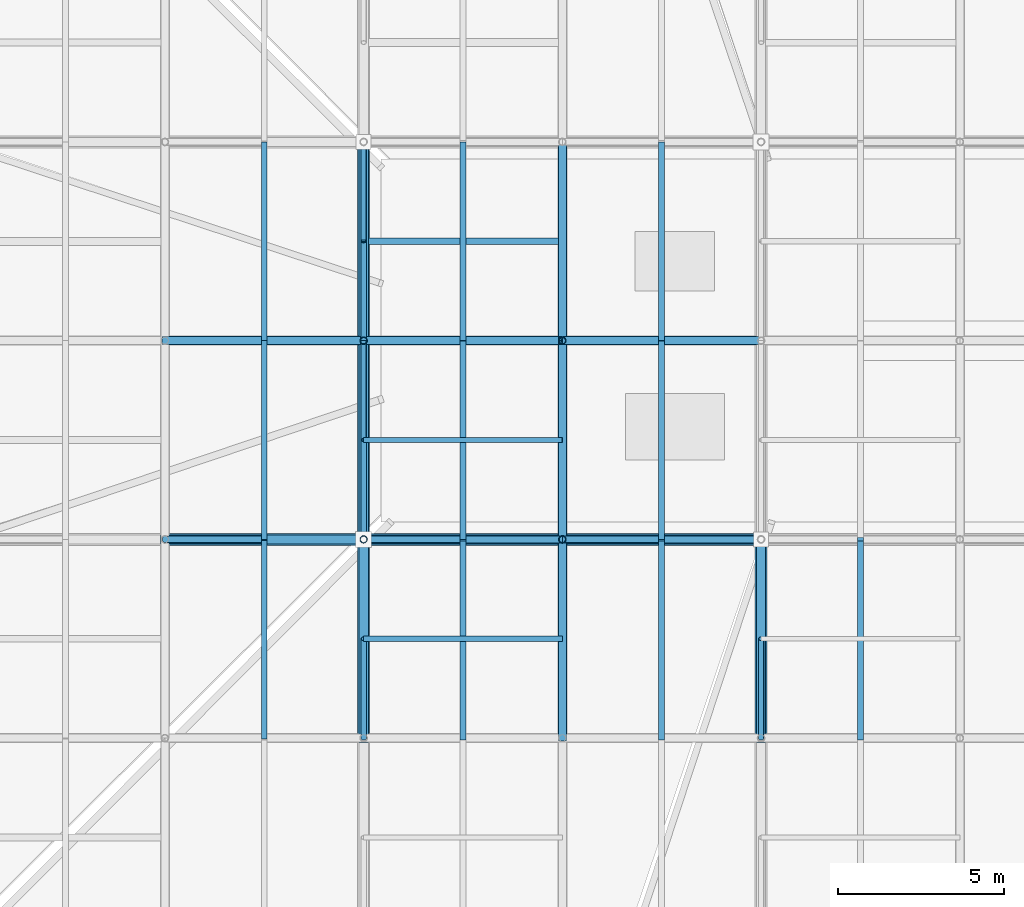
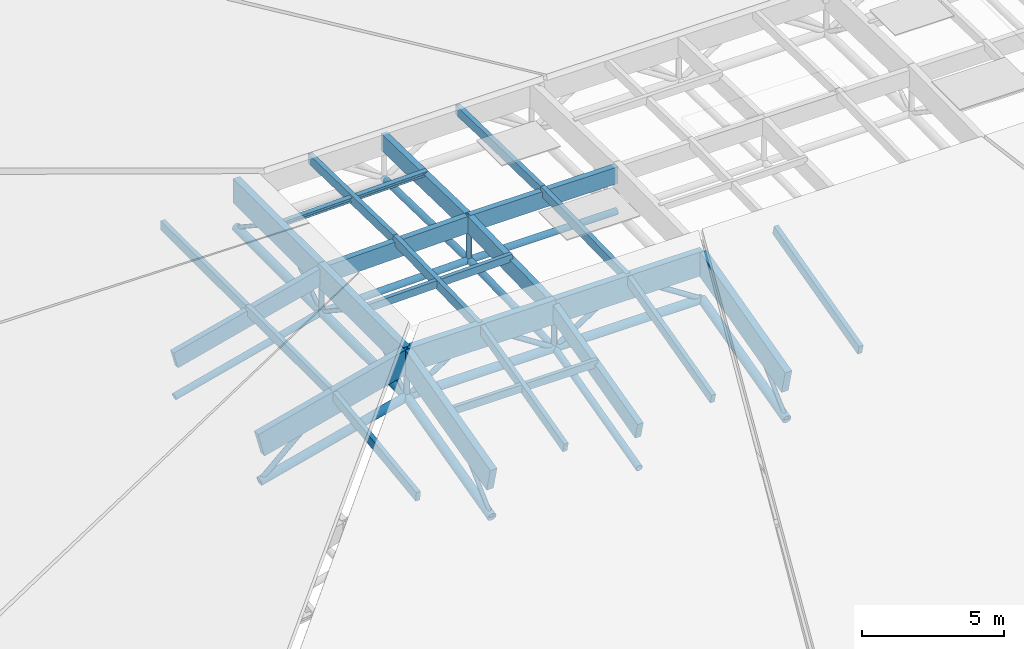
# One storey, part 20 of 80: 54 members.
"""IFC4 building model written with IfcOpenShell, lengths in metres."""

from ifc_helpers import new_model, si_unit, direction, frame, origin, origin_2d, place, context, subcontext, project, spatial, rectangle, hollow_circle, i_section, extrude, material, material_profile, profile_set, type_object, element, save


model = new_model("IFC4")

# Units and contexts
model_context = context("Model", 3, precision=1e-05, world=origin(), true_north=direction((0.0, 1.0)))
body_context = subcontext(model_context, "Body", "Model", "MODEL_VIEW")
ifc_project = project(units=[si_unit("LENGTHUNIT", "METRE"), si_unit("AREAUNIT", "SQUARE_METRE"), si_unit("VOLUMEUNIT", "CUBIC_METRE"), si_unit("PLANEANGLEUNIT", "RADIAN"), si_unit("MASSUNIT", "GRAM", prefix="KILO"), si_unit("THERMODYNAMICTEMPERATUREUNIT", "KELVIN"), si_unit("POWERUNIT", "WATT")], contexts=[model_context])

# Site, building, storey
site_placement = place(None, origin())
site = spatial("IfcSite", under=ifc_project, at=site_placement, CompositionType="ELEMENT")
building_placement = place(site_placement, origin())
building = spatial("IfcBuilding", under=site, at=building_placement, Name="Solmara Park Aquatics Centre", CompositionType="ELEMENT")
storey_placement = place(building_placement, frame((0.0, 0.0, 22.800048828125)))
storey = spatial("IfcBuildingStorey", under=building, at=storey_placement, Name="RF", CompositionType="ELEMENT", Elevation=22.800048828125)

# Members
ifc_material_1 = material(Name="Structural Steel S355", Category="steel")
ifc_material_profile_1 = material_profile(ifc_material_1, hollow_circle(Radius=0.084228515625, WallThickness=0.008056640625, at=origin_2d()), Name="CHS 168.3x8")
ifc_profile_set_1 = profile_set([ifc_material_profile_1], Name="Structural Steel S355")
member_type_1 = type_object("IfcMemberType", Name="STR-BRC-CHS168", PredefinedType="BRACE", material=ifc_profile_set_1)
for number, where, z_axis, x_axis, name in (
    (1, (36.60009765625, 30.60009765625, -6.486328125), (0.0, 0.736437262703, 0.67650584484), (-1.0, 0.0, 0.0), "Roof Truss Web Diagonal Y 1967"),
    (2, (48.60009765625, 30.60009765625, -6.486328125), (0.0, 0.736437262703, 0.67650584484), (-1.0, 0.0, 0.0), "Roof Truss Web Diagonal Y 1968"),
):
    element("IfcMember", number, at=place(storey_placement, frame(where, z_axis=z_axis, x_axis=x_axis)), inside=storey, type_object=member_type_1, Name=name, PredefinedType="BRACE", context=body_context, shape_type="SweptSolid", body=[
        extrude(hollow_circle(Radius=0.084228515625, WallThickness=0.008056640625, at=origin_2d()), origin(), (0.0, 0.0, 1.0), 4.07373046875),
    ])
for number, where, z_axis, x_axis, name in (
    (3, (36.60009765625, 36.60009765625, -4.9345703125), (0.0, 0.834611904619, 0.550838423377), (-1.0, 0.0, 0.0), "Roof Truss Web Diagonal Y 1992"),
    (4, (36.60009765625, 42.60009765625, -4.9345703125), (0.0, -0.834611904619, 0.550838423377), (1.0, 0.0, 0.0), "Roof Truss Web Diagonal Y 1993"),
    (5, (36.60009765625, 42.60009765625, -4.9345703125), (0.0, 0.834611904619, 0.550838423377), (-1.0, 0.0, 0.0), "Roof Truss Web Diagonal Y 2021"),
    (6, (36.60009765625, 48.60009765625, -4.9345703125), (0.0, -0.834611904619, 0.550838423377), (1.0, 0.0, 0.0), "Roof Truss Web Diagonal Y 2022"),
):
    element("IfcMember", number, at=place(storey_placement, frame(where, z_axis=z_axis, x_axis=x_axis)), inside=storey, type_object=member_type_1, Name=name, PredefinedType="BRACE", context=body_context, shape_type="SweptSolid", body=[
        extrude(hollow_circle(Radius=0.084228515625, WallThickness=0.008056640625, at=origin_2d()), origin(), (0.0, 0.0, 1.0), 3.594482421875),
    ])
ifc_material_profile_2 = material_profile(ifc_material_1, hollow_circle(Radius=0.109619140625, WallThickness=0.010009765625, at=origin_2d()), Name="CHS 219.1x10")
ifc_profile_set_2 = profile_set([ifc_material_profile_2], Name="Structural Steel S355")
member_type_2 = type_object("IfcMemberType", Name="STR-BRC-CHS219", PredefinedType="BRACE", material=ifc_profile_set_2)
member_1_placement = place(storey_placement, frame((30.60009765625, 36.60009765625, -6.486328125), z_axis=(0.741347083846, 0.0, 0.671121822974), x_axis=(0.0, 1.0, 0.0)))
element("IfcMember", 7, at=member_1_placement, inside=storey, type_object=member_type_2, Name="Roof Truss Web Diagonal X 1495", PredefinedType="BRACE", context=body_context, shape_type="SweptSolid", body=[
    extrude(hollow_circle(Radius=0.109619140625, WallThickness=0.010009765625, at=origin_2d()), origin(), (0.0, 0.0, 1.0), 4.046630859375),
])
for number, where, z_axis, x_axis, name in (
    (8, (36.60009765625, 36.60009765625, -4.9345703125), (0.83972779743, 0.0, 0.543007574738), (0.0, 1.0, 0.0), "Roof Truss Web Diagonal X 1523"),
    (9, (42.60009765625, 36.60009765625, -4.9345703125), (-0.83972779743, 0.0, 0.543007574738), (0.0, -1.0, 0.0), "Roof Truss Web Diagonal X 1524"),
    (10, (42.60009765625, 36.60009765625, -4.9345703125), (0.83972779743, 0.0, 0.543007574738), (0.0, 1.0, 0.0), "Roof Truss Web Diagonal X 1553"),
    (11, (48.60009765625, 36.60009765625, -4.9345703125), (-0.83972779743, 0.0, 0.543007574738), (0.0, -1.0, 0.0), "Roof Truss Web Diagonal X 1554"),
):
    element("IfcMember", number, at=place(storey_placement, frame(where, z_axis=z_axis, x_axis=x_axis)), inside=storey, type_object=member_type_2, Name=name, PredefinedType="BRACE", context=body_context, shape_type="SweptSolid", body=[
        extrude(hollow_circle(Radius=0.109619140625, WallThickness=0.010009765625, at=origin_2d()), origin(), (0.0, 0.0, 1.0), 3.572509765625),
    ])
ifc_material_profile_3 = material_profile(ifc_material_1, hollow_circle(Radius=0.136474609375, WallThickness=0.012451171875, at=origin_2d()), Name="CHS 273x12.5")
ifc_profile_set_3 = profile_set([ifc_material_profile_3], Name="Structural Steel S355")
member_type_3 = type_object("IfcMemberType", Name="STR-CHD-CHS273", PredefinedType="CHORD", material=ifc_profile_set_3)
member_2_placement = place(storey_placement, frame((30.60009765625, 42.60009765625, -6.486328125), z_axis=(0.968145594442, 0.0, 0.250387914969), x_axis=(0.0, 1.0, 0.0)))
element("IfcMember", 12, at=member_2_placement, inside=storey, type_object=member_type_3, Name="Steel Roof Truss Bottom Chord X 0264", PredefinedType="CHORD", context=body_context, shape_type="SweptSolid", body=[
    extrude(hollow_circle(Radius=0.136474609375, WallThickness=0.012451171875, at=origin_2d()), origin(), (0.0, 0.0, 1.0), 6.197509765625),
])
member_3_placement = place(storey_placement, frame((36.60009765625, 42.60009765625, -4.9345703125), z_axis=(0.999748760967, 0.0, 0.022414614555), x_axis=(0.0, 1.0, 0.0)))
element("IfcMember", 13, at=member_3_placement, inside=storey, type_object=member_type_3, Name="Steel Roof Truss Bottom Chord X 0266", PredefinedType="CHORD", context=body_context, shape_type="SweptSolid", body=[
    extrude(hollow_circle(Radius=0.136474609375, WallThickness=0.012451171875, at=origin_2d()), origin(), (0.0, 0.0, 1.0), 6.00146484375),
])
member_4_placement = place(storey_placement, frame((42.60009765625, 42.60009765625, -4.800048828125), z_axis=(1.0, 0.0, 0.0), x_axis=(0.0, 1.0, 0.0)))
element("IfcMember", 14, at=member_4_placement, inside=storey, type_object=member_type_3, Name="Steel Roof Truss Bottom Chord X 0268", PredefinedType="CHORD", context=body_context, shape_type="SweptSolid", body=[
    extrude(hollow_circle(Radius=0.136474609375, WallThickness=0.012451171875, at=origin_2d()), origin(), (0.0, 0.0, 1.0), 6.0),
])
member_5_placement = place(storey_placement, frame((42.60009765625, 30.60009765625, -6.486328125), z_axis=(0.0, 0.968145594442, 0.250387914969), x_axis=(-1.0, 0.0, 0.0)))
element("IfcMember", 15, at=member_5_placement, inside=storey, type_object=member_type_3, Name="Steel Roof Truss Bottom Chord Y 0748", PredefinedType="CHORD", context=body_context, shape_type="SweptSolid", body=[
    extrude(hollow_circle(Radius=0.136474609375, WallThickness=0.012451171875, at=origin_2d()), origin(), (0.0, 0.0, 1.0), 6.197509765625),
])
for number, where, z_axis, x_axis, name in (
    (16, (42.60009765625, 36.60009765625, -4.9345703125), (0.0, 0.999748760967, 0.022414614555), (-1.0, 0.0, 0.0), "Steel Roof Truss Bottom Chord Y 0750"),
    (17, (42.60009765625, 42.60009765625, -4.800048828125), (0.0, 0.999748760967, -0.022414614555), (-1.0, 0.0, 0.0), "Steel Roof Truss Bottom Chord Y 0752"),
):
    element("IfcMember", number, at=place(storey_placement, frame(where, z_axis=z_axis, x_axis=x_axis)), inside=storey, type_object=member_type_3, Name=name, PredefinedType="CHORD", context=body_context, shape_type="SweptSolid", body=[
        extrude(hollow_circle(Radius=0.136474609375, WallThickness=0.012451171875, at=origin_2d()), origin(), (0.0, 0.0, 1.0), 6.00146484375),
    ])
ifc_material_profile_4 = material_profile(ifc_material_1, hollow_circle(Radius=0.177734375, WallThickness=0.01611328125, at=origin_2d()), Name="CHS 355.6x16")
ifc_profile_set_4 = profile_set([ifc_material_profile_4], Name="Structural Steel S355")
member_type_4 = type_object("IfcMemberType", Name="STR-CHD-CHS355", PredefinedType="CHORD", material=ifc_profile_set_4)
member_6_placement = place(storey_placement, frame((30.60009765625, 36.60009765625, -6.486328125), z_axis=(0.968145594442, 0.0, 0.250387914969), x_axis=(0.0, 1.0, 0.0)))
element("IfcMember", 18, at=member_6_placement, inside=storey, type_object=member_type_4, Name="Steel Roof Truss Bottom Chord X 0228", PredefinedType="CHORD", context=body_context, shape_type="SweptSolid", body=[
    extrude(hollow_circle(Radius=0.177734375, WallThickness=0.01611328125, at=origin_2d()), origin(), (0.0, 0.0, 1.0), 6.197509765625),
])
for number, where, z_axis, x_axis, name in (
    (19, (36.60009765625, 36.60009765625, -4.9345703125), (1.0, 0.0, 0.0), (0.0, 1.0, 0.0), "Steel Roof Truss Bottom Chord X 0230"),
    (20, (42.60009765625, 36.60009765625, -4.9345703125), (1.0, 0.0, 0.0), (0.0, 1.0, 0.0), "Steel Roof Truss Bottom Chord X 0232"),
):
    element("IfcMember", number, at=place(storey_placement, frame(where, z_axis=z_axis, x_axis=x_axis)), inside=storey, type_object=member_type_4, Name=name, PredefinedType="CHORD", context=body_context, shape_type="SweptSolid", body=[
        extrude(hollow_circle(Radius=0.177734375, WallThickness=0.01611328125, at=origin_2d()), origin(), (0.0, 0.0, 1.0), 6.0),
    ])
member_7_placement = place(storey_placement, frame((36.60009765625, 30.60009765625, -6.486328125), z_axis=(0.0, 0.968145594442, 0.250387914969), x_axis=(-1.0, 0.0, 0.0)))
element("IfcMember", 21, at=member_7_placement, inside=storey, type_object=member_type_4, Name="Steel Roof Truss Bottom Chord Y 0720", PredefinedType="CHORD", context=body_context, shape_type="SweptSolid", body=[
    extrude(hollow_circle(Radius=0.177734375, WallThickness=0.01611328125, at=origin_2d()), origin(), (0.0, 0.0, 1.0), 6.197509765625),
])
for number, where, z_axis, x_axis, name in (
    (22, (36.60009765625, 36.60009765625, -4.9345703125), (0.0, 1.0, 0.0), (-1.0, 0.0, 0.0), "Steel Roof Truss Bottom Chord Y 0722"),
    (23, (36.60009765625, 42.60009765625, -4.9345703125), (0.0, 1.0, 0.0), (-1.0, 0.0, 0.0), "Steel Roof Truss Bottom Chord Y 0724"),
):
    element("IfcMember", number, at=place(storey_placement, frame(where, z_axis=z_axis, x_axis=x_axis)), inside=storey, type_object=member_type_4, Name=name, PredefinedType="CHORD", context=body_context, shape_type="SweptSolid", body=[
        extrude(hollow_circle(Radius=0.177734375, WallThickness=0.01611328125, at=origin_2d()), origin(), (0.0, 0.0, 1.0), 6.0),
    ])
member_8_placement = place(storey_placement, frame((48.60009765625, 30.60009765625, -6.486328125), z_axis=(0.0, 0.968145594442, 0.250387914969), x_axis=(-1.0, 0.0, 0.0)))
element("IfcMember", 24, at=member_8_placement, inside=storey, type_object=member_type_4, Name="Steel Roof Truss Bottom Chord Y 0776", PredefinedType="CHORD", context=body_context, shape_type="SweptSolid", body=[
    extrude(hollow_circle(Radius=0.177734375, WallThickness=0.01611328125, at=origin_2d()), origin(), (0.0, 0.0, 1.0), 6.197509765625),
])
ifc_material_2 = material(Name="Glulam Timber GL28h", Category="wood")
ifc_material_profile_5 = material_profile(ifc_material_2, rectangle(XDim=0.239990234375, YDim=0.719970703125, at=origin_2d()), Name="GL28h 240x720")
ifc_profile_set_5 = profile_set([ifc_material_profile_5], Name="Glulam Timber GL28h")
member_type_5 = type_object("IfcMemberType", Name="STR-CHD-GL240x720", PredefinedType="CHORD", material=ifc_profile_set_5)
member_9_placement = place(storey_placement, frame((30.60009765625, 42.60009765625, -4.866455078125), z_axis=(0.968145594442, 0.0, 0.250387914969), x_axis=(0.0, 1.0, 0.0)))
element("IfcMember", 25, at=member_9_placement, inside=storey, type_object=member_type_5, Name="Glulam Roof Truss Top Chord X 0263", PredefinedType="CHORD", context=body_context, shape_type="SweptSolid", body=[
    extrude(rectangle(XDim=0.239990234375, YDim=0.719970703125, at=origin_2d()), origin(), (0.0, 0.0, 1.0), 6.197509765625),
])
member_10_placement = place(storey_placement, frame((36.60009765625, 42.60009765625, -3.314697265625), z_axis=(0.999747848546, 0.0, 0.022455273942), x_axis=(0.0, 1.0, 0.0)))
element("IfcMember", 26, at=member_10_placement, inside=storey, type_object=member_type_5, Name="Glulam Roof Truss Top Chord X 0265", PredefinedType="CHORD", context=body_context, shape_type="SweptSolid", body=[
    extrude(rectangle(XDim=0.239990234375, YDim=0.719970703125, at=origin_2d()), origin(), (0.0, 0.0, 1.0), 6.00146484375),
])
member_11_placement = place(storey_placement, frame((42.60009765625, 42.60009765625, -3.179931640625), z_axis=(1.0, 0.0, 0.0), x_axis=(0.0, 1.0, 0.0)))
element("IfcMember", 27, at=member_11_placement, inside=storey, type_object=member_type_5, Name="Glulam Roof Truss Top Chord X 0267", PredefinedType="CHORD", context=body_context, shape_type="SweptSolid", body=[
    extrude(rectangle(XDim=0.239990234375, YDim=0.719970703125, at=origin_2d()), origin(), (0.0, 0.0, 1.0), 6.0),
])
member_12_placement = place(storey_placement, frame((42.60009765625, 30.60009765625, -4.866455078125), z_axis=(0.0, 0.968145594442, 0.250387914969), x_axis=(-1.0, 0.0, 0.0)))
element("IfcMember", 28, at=member_12_placement, inside=storey, type_object=member_type_5, Name="Glulam Roof Truss Top Chord Y 0747", PredefinedType="CHORD", context=body_context, shape_type="SweptSolid", body=[
    extrude(rectangle(XDim=0.239990234375, YDim=0.719970703125, at=origin_2d()), origin(), (0.0, 0.0, 1.0), 6.197509765625),
])
for number, where, z_axis, x_axis, name in (
    (29, (42.60009765625, 36.60009765625, -3.314697265625), (0.0, 0.999747848546, 0.022455273942), (-1.0, 0.0, 0.0), "Glulam Roof Truss Top Chord Y 0749"),
    (30, (42.60009765625, 42.60009765625, -3.179931640625), (0.0, 0.999747848546, -0.022455273942), (-1.0, 0.0, 0.0), "Glulam Roof Truss Top Chord Y 0751"),
):
    element("IfcMember", number, at=place(storey_placement, frame(where, z_axis=z_axis, x_axis=x_axis)), inside=storey, type_object=member_type_5, Name=name, PredefinedType="CHORD", context=body_context, shape_type="SweptSolid", body=[
        extrude(rectangle(XDim=0.239990234375, YDim=0.719970703125, at=origin_2d()), origin(), (0.0, 0.0, 1.0), 6.00146484375),
    ])
ifc_material_profile_6 = material_profile(ifc_material_2, rectangle(XDim=0.280029296875, YDim=1.0400390625, at=origin_2d()), Name="GL28h 280x1040")
ifc_profile_set_6 = profile_set([ifc_material_profile_6], Name="Glulam Timber GL28h")
member_type_6 = type_object("IfcMemberType", Name="STR-CHD-GL280x1040", PredefinedType="CHORD", material=ifc_profile_set_6)
member_13_placement = place(storey_placement, frame((30.60009765625, 36.60009765625, -4.866455078125), z_axis=(0.968145594442, 0.0, 0.250387914969), x_axis=(0.0, 1.0, 0.0)))
element("IfcMember", 31, at=member_13_placement, inside=storey, type_object=member_type_6, Name="Glulam Roof Truss Top Chord X 0227", PredefinedType="CHORD", context=body_context, shape_type="SweptSolid", body=[
    extrude(rectangle(XDim=0.280029296875, YDim=1.0400390625, at=origin_2d()), origin(), (0.0, 0.0, 1.0), 6.197509765625),
])
for number, where, z_axis, x_axis, name in (
    (32, (36.60009765625, 36.60009765625, -3.314697265625), (1.0, 0.0, 0.0), (0.0, 1.0, 0.0), "Glulam Roof Truss Top Chord X 0229"),
    (33, (42.60009765625, 36.60009765625, -3.314697265625), (1.0, 0.0, 0.0), (0.0, 1.0, 0.0), "Glulam Roof Truss Top Chord X 0231"),
):
    element("IfcMember", number, at=place(storey_placement, frame(where, z_axis=z_axis, x_axis=x_axis)), inside=storey, type_object=member_type_6, Name=name, PredefinedType="CHORD", context=body_context, shape_type="SweptSolid", body=[
        extrude(rectangle(XDim=0.280029296875, YDim=1.0400390625, at=origin_2d()), origin(), (0.0, 0.0, 1.0), 6.0),
    ])
member_14_placement = place(storey_placement, frame((36.60009765625, 30.60009765625, -4.866455078125), z_axis=(0.0, 0.968145594442, 0.250387914969), x_axis=(-1.0, 0.0, 0.0)))
element("IfcMember", 34, at=member_14_placement, inside=storey, type_object=member_type_6, Name="Glulam Roof Truss Top Chord Y 0719", PredefinedType="CHORD", context=body_context, shape_type="SweptSolid", body=[
    extrude(rectangle(XDim=0.280029296875, YDim=1.0400390625, at=origin_2d()), origin(), (0.0, 0.0, 1.0), 6.197509765625),
])
for number, where, z_axis, x_axis, name in (
    (35, (36.60009765625, 36.60009765625, -3.314697265625), (0.0, 1.0, 0.0), (-1.0, 0.0, 0.0), "Glulam Roof Truss Top Chord Y 0721"),
    (36, (36.60009765625, 42.60009765625, -3.314697265625), (0.0, 1.0, 0.0), (-1.0, 0.0, 0.0), "Glulam Roof Truss Top Chord Y 0723"),
):
    element("IfcMember", number, at=place(storey_placement, frame(where, z_axis=z_axis, x_axis=x_axis)), inside=storey, type_object=member_type_6, Name=name, PredefinedType="CHORD", context=body_context, shape_type="SweptSolid", body=[
        extrude(rectangle(XDim=0.280029296875, YDim=1.0400390625, at=origin_2d()), origin(), (0.0, 0.0, 1.0), 6.0),
    ])
member_15_placement = place(storey_placement, frame((48.60009765625, 30.60009765625, -4.866455078125), z_axis=(0.0, 0.968145594442, 0.250387914969), x_axis=(-1.0, 0.0, 0.0)))
element("IfcMember", 37, at=member_15_placement, inside=storey, type_object=member_type_6, Name="Glulam Roof Truss Top Chord Y 0775", PredefinedType="CHORD", context=body_context, shape_type="SweptSolid", body=[
    extrude(rectangle(XDim=0.280029296875, YDim=1.0400390625, at=origin_2d()), origin(), (0.0, 0.0, 1.0), 6.197509765625),
])
ifc_material_profile_7 = material_profile(ifc_material_2, rectangle(XDim=0.159912109375, YDim=0.320068359375, at=origin_2d()), Name="GL28h 160x320")
ifc_profile_set_7 = profile_set([ifc_material_profile_7], Name="Glulam Timber GL28h")
member_type_7 = type_object("IfcMemberType", Name="STR-PRL-GL160x320", PredefinedType="PURLIN", material=ifc_profile_set_7)
member_16_placement = place(storey_placement, frame((36.60009765625, 33.60009765625, -3.75048828125), z_axis=(1.0, 0.0, 0.0), x_axis=(0.0, 1.0, 0.0)))
element("IfcMember", 38, at=member_16_placement, inside=storey, type_object=member_type_7, Name="Glulam Secondary Roof Purlin 1955", PredefinedType="PURLIN", context=body_context, shape_type="SweptSolid", body=[
    extrude(rectangle(XDim=0.159912109375, YDim=0.320068359375, at=origin_2d()), origin(), (0.0, 0.0, 1.0), 6.0),
])
member_17_placement = place(storey_placement, frame((36.60009765625, 39.60009765625, -2.974609375), z_axis=(0.999748760967, 0.0, 0.022414614555), x_axis=(0.0, 1.0, 0.0)))
element("IfcMember", 39, at=member_17_placement, inside=storey, type_object=member_type_7, Name="Glulam Secondary Roof Purlin 1980", PredefinedType="PURLIN", context=body_context, shape_type="SweptSolid", body=[
    extrude(rectangle(XDim=0.159912109375, YDim=0.320068359375, at=origin_2d()), origin(), (0.0, 0.0, 1.0), 6.00146484375),
])
ifc_material_profile_8 = material_profile(ifc_material_2, rectangle(XDim=0.179931640625, YDim=0.39990234375, at=origin_2d()), Name="GL28h 180x400")
ifc_profile_set_8 = profile_set([ifc_material_profile_8], Name="Glulam Timber GL28h")
member_type_8 = type_object("IfcMemberType", Name="STR-PRL-GL180x400", PredefinedType="PURLIN", material=ifc_profile_set_8)
member_18_placement = place(storey_placement, frame((33.60009765625, 30.60009765625, -4.54638671875), z_axis=(0.0, 0.991742472473, 0.128245344137), x_axis=(-1.0, 0.0, 0.0)))
element("IfcMember", 40, at=member_18_placement, inside=storey, type_object=member_type_8, Name="Glulam Roof Purlin 1480", PredefinedType="PURLIN", context=body_context, shape_type="SweptSolid", body=[
    extrude(rectangle(XDim=0.179931640625, YDim=0.39990234375, at=origin_2d()), origin(), (0.0, 0.0, 1.0), 6.050048828125),
])
for number, where, z_axis, x_axis, name in (
    (41, (33.60009765625, 36.60009765625, -3.7705078125), (0.0, 1.0, 0.0), (-1.0, 0.0, 0.0), "Glulam Roof Purlin 1481"),
    (42, (33.60009765625, 42.60009765625, -3.7705078125), (0.0, 1.0, 0.0), (-1.0, 0.0, 0.0), "Glulam Roof Purlin 1482"),
):
    element("IfcMember", number, at=place(storey_placement, frame(where, z_axis=z_axis, x_axis=x_axis)), inside=storey, type_object=member_type_8, Name=name, PredefinedType="PURLIN", context=body_context, shape_type="SweptSolid", body=[
        extrude(rectangle(XDim=0.179931640625, YDim=0.39990234375, at=origin_2d()), origin(), (0.0, 0.0, 1.0), 6.0),
    ])
member_19_placement = place(storey_placement, frame((39.60009765625, 30.60009765625, -4.54638671875), z_axis=(0.0, 0.968145594442, 0.250387914969), x_axis=(-1.0, 0.0, 0.0)))
element("IfcMember", 43, at=member_19_placement, inside=storey, type_object=member_type_8, Name="Glulam Roof Purlin 1508", PredefinedType="PURLIN", context=body_context, shape_type="SweptSolid", body=[
    extrude(rectangle(XDim=0.179931640625, YDim=0.39990234375, at=origin_2d()), origin(), (0.0, 0.0, 1.0), 6.197509765625),
])
for number, where, z_axis, x_axis, name in (
    (44, (39.60009765625, 36.60009765625, -2.99462890625), (0.0, 0.999748760967, 0.022414614555), (-1.0, 0.0, 0.0), "Glulam Roof Purlin 1509"),
    (45, (39.60009765625, 42.60009765625, -2.860107421875), (0.0, 0.999748760967, -0.022414614555), (-1.0, 0.0, 0.0), "Glulam Roof Purlin 1510"),
):
    element("IfcMember", number, at=place(storey_placement, frame(where, z_axis=z_axis, x_axis=x_axis)), inside=storey, type_object=member_type_8, Name=name, PredefinedType="PURLIN", context=body_context, shape_type="SweptSolid", body=[
        extrude(rectangle(XDim=0.179931640625, YDim=0.39990234375, at=origin_2d()), origin(), (0.0, 0.0, 1.0), 6.00146484375),
    ])
member_20_placement = place(storey_placement, frame((45.60009765625, 30.60009765625, -4.54638671875), z_axis=(0.0, 0.968145594442, 0.250387914969), x_axis=(-1.0, 0.0, 0.0)))
element("IfcMember", 46, at=member_20_placement, inside=storey, type_object=member_type_8, Name="Glulam Roof Purlin 1538", PredefinedType="PURLIN", context=body_context, shape_type="SweptSolid", body=[
    extrude(rectangle(XDim=0.179931640625, YDim=0.39990234375, at=origin_2d()), origin(), (0.0, 0.0, 1.0), 6.197509765625),
])
for number, where, z_axis, x_axis, name in (
    (47, (45.60009765625, 36.60009765625, -2.99462890625), (0.0, 0.999748760967, 0.022414614555), (-1.0, 0.0, 0.0), "Glulam Roof Purlin 1539"),
    (48, (45.60009765625, 42.60009765625, -2.860107421875), (0.0, 0.999748760967, -0.022414614555), (-1.0, 0.0, 0.0), "Glulam Roof Purlin 1540"),
):
    element("IfcMember", number, at=place(storey_placement, frame(where, z_axis=z_axis, x_axis=x_axis)), inside=storey, type_object=member_type_8, Name=name, PredefinedType="PURLIN", context=body_context, shape_type="SweptSolid", body=[
        extrude(rectangle(XDim=0.179931640625, YDim=0.39990234375, at=origin_2d()), origin(), (0.0, 0.0, 1.0), 6.00146484375),
    ])
member_21_placement = place(storey_placement, frame((51.60009765625, 30.60009765625, -4.54638671875), z_axis=(0.0, 0.968145594442, 0.250387914969), x_axis=(-1.0, 0.0, 0.0)))
element("IfcMember", 49, at=member_21_placement, inside=storey, type_object=member_type_8, Name="Glulam Roof Purlin 1568", PredefinedType="PURLIN", context=body_context, shape_type="SweptSolid", body=[
    extrude(rectangle(XDim=0.179931640625, YDim=0.39990234375, at=origin_2d()), origin(), (0.0, 0.0, 1.0), 6.197509765625),
])
ifc_material_profile_9 = material_profile(ifc_material_1, i_section(OverallWidth=0.199951171875, OverallDepth=0.18994140625, WebThickness=0.006591796875, FlangeThickness=0.010009765625, FilletRadius=0.01806640625, at=origin_2d()), Name="HEA 200")
ifc_profile_set_9 = profile_set([ifc_material_profile_9], Name="Structural Steel S355")
member_type_9 = type_object("IfcMemberType", Name="STR-PRL-HEA200", PredefinedType="PURLIN", material=ifc_profile_set_9)
member_22_placement = place(storey_placement, frame((36.60009765625, 45.60009765625, -2.974609375), z_axis=(0.999748760967, 0.0, 0.022414614555), x_axis=(0.0, 1.0, 0.0)))
element("IfcMember", 50, at=member_22_placement, inside=storey, type_object=member_type_9, Name="Glulam Secondary Roof Purlin 2009", PredefinedType="PURLIN", context=body_context, shape_type="SweptSolid", body=[
    extrude(i_section(OverallWidth=0.199951171875, OverallDepth=0.18994140625, WebThickness=0.006591796875, FlangeThickness=0.010009765625, FilletRadius=0.01806640625, at=origin_2d()), origin(), (0.0, 0.0, 1.0), 6.00146484375),
])
ifc_material_profile_10 = material_profile(ifc_material_1, hollow_circle(Radius=0.109619140625, WallThickness=0.010009765625, at=origin_2d()), Name="CHS 219.1x10")
ifc_profile_set_10 = profile_set([ifc_material_profile_10], Name="Structural Steel S355")
member_type_10 = type_object("IfcMemberType", Name="STR-PST-CHS219", PredefinedType="POST", material=ifc_profile_set_10)
for number, where, z_axis, x_axis, name in (
    (51, (36.60009765625, 36.60009765625, -4.9345703125), (0.0, 0.0, 1.0), (1.0, 0.0, 0.0), "Roof Truss Web Post 1162"),
    (52, (36.60009765625, 42.60009765625, -4.9345703125), (0.0, 0.0, 1.0), (1.0, 0.0, 0.0), "Roof Truss Web Post 1163"),
    (53, (42.60009765625, 36.60009765625, -4.9345703125), (0.0, 0.0, 1.0), (1.0, 0.0, 0.0), "Roof Truss Web Post 1177"),
):
    element("IfcMember", number, at=place(storey_placement, frame(where, z_axis=z_axis, x_axis=x_axis)), inside=storey, type_object=member_type_10, Name=name, PredefinedType="POST", context=body_context, shape_type="SweptSolid", body=[
        extrude(hollow_circle(Radius=0.109619140625, WallThickness=0.010009765625, at=origin_2d()), origin(), (0.0, 0.0, 1.0), 1.619873046875),
    ])
member_23_placement = place(storey_placement, frame((42.60009765625, 42.60009765625, -4.800048828125), z_axis=(0.0, 0.0, 1.0), x_axis=(1.0, 0.0, 0.0)))
element("IfcMember", 54, at=member_23_placement, inside=storey, type_object=member_type_10, Name="Roof Truss Web Post 1178", PredefinedType="POST", context=body_context, shape_type="SweptSolid", body=[
    extrude(hollow_circle(Radius=0.109619140625, WallThickness=0.010009765625, at=origin_2d()), origin(), (0.0, 0.0, 1.0), 1.6201171875),
])

save(model, "model.ifc")
